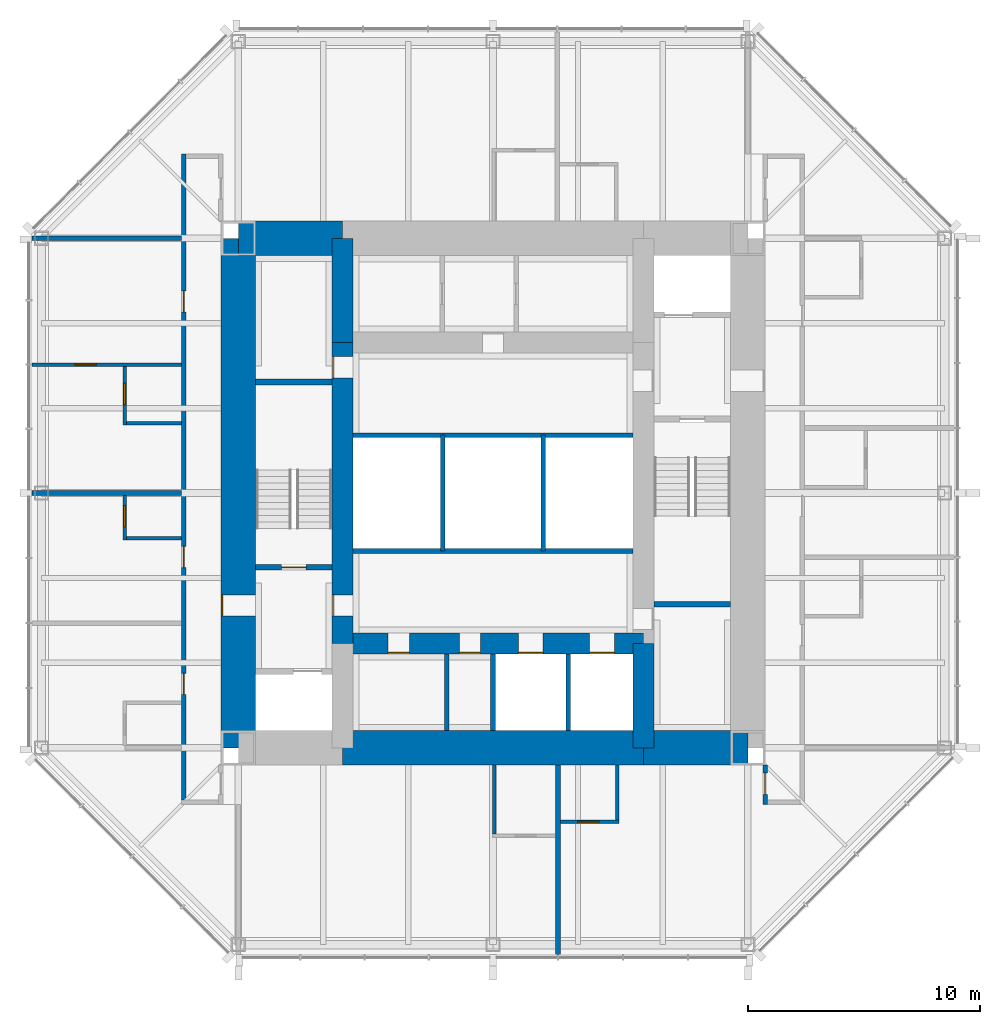
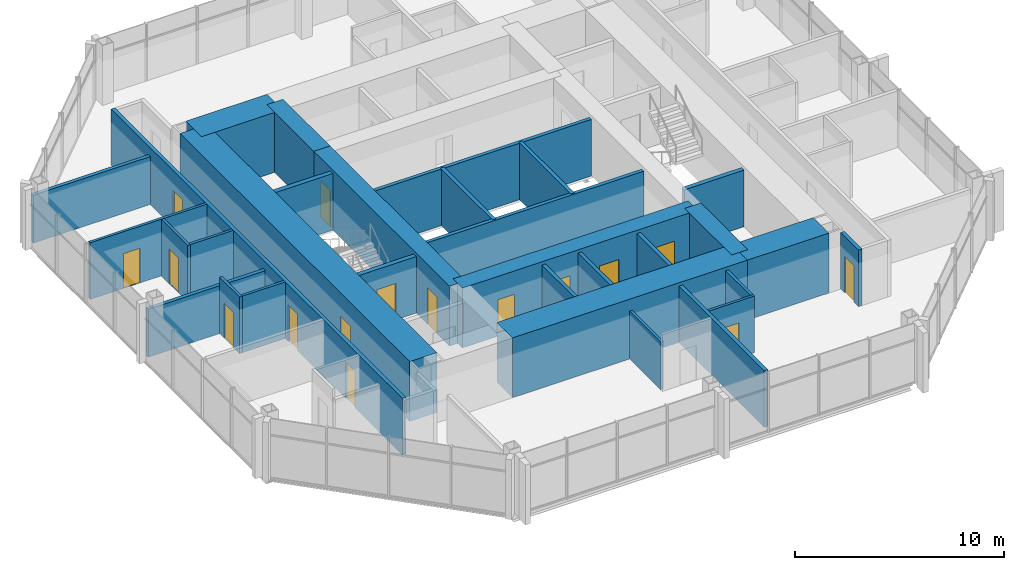
# One storey, part 8 of 11: 31 walls, 16 doors, 16 openings.
"""IFC4 building model written with IfcOpenShell, lengths in metres."""

from ifc_helpers import new_model, si_unit, direction, frame, frame_2d, origin, place, context, subcontext, project, spatial, rectangle, extrude, material, layer, layer_set, type_object, element, fill, save


model = new_model("IFC4")

# Units and contexts
model_context = context("Model", 3, precision=1e-05, world=origin(), true_north=direction((0.0, 1.0)))
body_context = subcontext(model_context, "Body", "Model", "MODEL_VIEW")
ifc_project = project(units=[si_unit("LENGTHUNIT", "METRE"), si_unit("AREAUNIT", "SQUARE_METRE"), si_unit("VOLUMEUNIT", "CUBIC_METRE"), si_unit("PLANEANGLEUNIT", "RADIAN"), si_unit("MASSUNIT", "GRAM", prefix="KILO")], contexts=[model_context])

# Site, building, storey
site_placement = place(None, origin())
site = spatial("IfcSite", under=ifc_project, at=site_placement, CompositionType="ELEMENT")
building_placement = place(site_placement, origin())
building = spatial("IfcBuilding", under=site, at=building_placement, Name="Trevanion Tower", CompositionType="ELEMENT")
storey_placement = place(building_placement, frame((0.0, 0.0, 246.699951171875)))
storey = spatial("IfcBuildingStorey", under=building, at=storey_placement, Name="L60", CompositionType="ELEMENT", Elevation=246.699951171875)

# Wall, opening, door
ifc_material_1 = material(Name="Concrete 10,000 psi", Category="concrete")
ifc_layer_1 = layer(ifc_material_1, 1.5)
ifc_layer_set_1 = layer_set([ifc_layer_1], Name="CW1 core wall 1500")
wall_type_1 = type_object("IfcWallType", Name="CW1 core wall 1500", PredefinedType="SHEAR", material=ifc_layer_set_1)
wall_1_placement = place(storey_placement, frame((-11.0, 11.0, 0.0), z_axis=(0.0, 0.0, 1.0), x_axis=(0.0, -1.0, 0.0)))
wall_1 = element("IfcWall", 1, at=wall_1_placement, inside=storey, type_object=wall_type_1, Name="CW1 CW L60", PredefinedType="SHEAR", context=body_context, shape_type="SweptSolid", body=[
    extrude(rectangle(XDim=22.0, YDim=1.5, at=frame_2d((11.0, 0.0))), origin(), (0.0, 0.0, 1.0), 3.5),
])
opening_1_placement = place(wall_1_placement, frame((15.392578125, 0.0, 0.0)))
opening_1 = element("IfcOpeningElement", 2, at=opening_1_placement, cuts=wall_1, Name="Opening 60-002", PredefinedType="OPENING", context=body_context, shape_type="SweptSolid", body=[
    extrude(rectangle(XDim=0.9150390625, YDim=2.134033203125, at=frame_2d((0.45751953125, 1.06689453125))), frame((0.0, 0.760009765625, 0.0), z_axis=(0.0, -1.0, 0.0), x_axis=(1.0, 0.0, 0.0)), (0.0, 0.0, 1.0), 1.52001953125),
])
ifc_material_2 = material(Name="Hollow metal, fire rated", Category="steel")
door_type_1 = type_object("IfcDoorType", Name="D3 fire lift lobby door", OperationType="SINGLE_SWING_RIGHT", PredefinedType="DOOR", material=ifc_material_2)
door_1_placement = place(opening_1_placement, origin())
door_1 = element("IfcDoor", 3, at=door_1_placement, inside=storey, type_object=door_type_1, Name="Door 60-002", OperationType="SINGLE_SWING_RIGHT", OverallHeight=2.134033203125, OverallWidth=0.9150390625, PredefinedType="DOOR", context=body_context, shape_type="SweptSolid", body=[
    extrude(rectangle(XDim=0.9150390625, YDim=2.134033203125, at=frame_2d((0.45751953125, 1.06689453125))), frame((0.0, -0.6748046875, 0.0), z_axis=(0.0, -1.0, 0.0), x_axis=(1.0, 0.0, 0.0)), (0.0, 0.0, 1.0), 0.050048828125),
])
fill(opening_1, door_1)

# Walls
wall_2_placement = place(storey_placement, frame((-6.5, 11.0, 0.0), z_axis=(0.0, 0.0, 1.0), x_axis=(-1.0, 0.0, 0.0)))
element("IfcWall", 4, at=wall_2_placement, inside=storey, type_object=wall_type_1, Name="CW1 CN3 L60", PredefinedType="SHEAR", context=body_context, shape_type="SweptSolid", body=[
    extrude(rectangle(XDim=4.5, YDim=1.5, at=frame_2d((2.25, 0.0))), origin(), (0.0, 0.0, 1.0), 3.5),
])
wall_3_placement = place(storey_placement, frame((-6.5, -11.0, 0.0), z_axis=(0.0, 0.0, 1.0), x_axis=(1.0, 0.0, 0.0)))
element("IfcWall", 5, at=wall_3_placement, inside=storey, type_object=wall_type_1, Name="CW1 CS2 L60", PredefinedType="SHEAR", context=body_context, shape_type="SweptSolid", body=[
    extrude(rectangle(XDim=13.0, YDim=1.5, at=frame_2d((6.5, 0.0))), origin(), (0.0, 0.0, 1.0), 3.5),
])
wall_4_placement = place(storey_placement, frame((6.5, -11.0, 0.0), z_axis=(0.0, 0.0, 1.0), x_axis=(1.0, 0.0, 0.0)))
element("IfcWall", 6, at=wall_4_placement, inside=storey, type_object=wall_type_1, Name="CW1 CS3 L60", PredefinedType="SHEAR", context=body_context, shape_type="SweptSolid", body=[
    extrude(rectangle(XDim=4.5, YDim=1.5, at=frame_2d((2.25, 0.0))), origin(), (0.0, 0.0, 1.0), 3.5),
])
ifc_material_3 = material(Name="Concrete 10,000 psi", Category="concrete")
ifc_layer_2 = layer(ifc_material_3, 0.89990234375)
ifc_layer_set_2 = layer_set([ifc_layer_2], Name="CW2 core wall 900")
wall_type_2 = type_object("IfcWallType", Name="CW2 core wall 900", PredefinedType="SHEAR", material=ifc_layer_set_2)
for number, where, z_axis, x_axis, name in (
    (7, (6.5, -11.0, 0.0), (0.0, 0.0, 1.0), (0.0, 1.0, 0.0), "CW2 RE1 L60"),
    (8, (-6.5, 11.0, 0.0), (0.0, 0.0, 1.0), (0.0, -1.0, 0.0), "CW2 RW1 L60"),
):
    element("IfcWall", number, at=place(storey_placement, frame(where, z_axis=z_axis, x_axis=x_axis)), inside=storey, type_object=wall_type_2, Name=name, PredefinedType="SHEAR", context=body_context, shape_type="SweptSolid", body=[
        extrude(rectangle(XDim=4.5, YDim=0.89990234375, at=frame_2d((2.25, 0.0))), origin(), (0.0, 0.0, 1.0), 3.5),
    ])

# Wall, openings, doors
wall_5_placement = place(storey_placement, frame((-6.5, 6.5, 0.0), z_axis=(0.0, 0.0, 1.0), x_axis=(0.0, -1.0, 0.0)))
wall_5 = element("IfcWall", 9, at=wall_5_placement, inside=storey, type_object=wall_type_2, Name="CW2 RW2 L60", PredefinedType="SHEAR", context=body_context, shape_type="SweptSolid", body=[
    extrude(rectangle(XDim=13.0, YDim=0.89990234375, at=frame_2d((6.5, 0.0))), origin(), (0.0, 0.0, 1.0), 3.5),
])
opening_2_placement = place(wall_5_placement, frame((10.892578125, 0.0, 0.0)))
opening_2 = element("IfcOpeningElement", 10, at=opening_2_placement, cuts=wall_5, Name="Opening 60-004", PredefinedType="OPENING", context=body_context, shape_type="SweptSolid", body=[
    extrude(rectangle(XDim=0.9150390625, YDim=2.134033203125, at=frame_2d((0.45751953125, 1.06689453125))), frame((0.0, 0.4599609375, 0.0), z_axis=(0.0, -1.0, 0.0), x_axis=(1.0, 0.0, 0.0)), (0.0, 0.0, 1.0), 0.919921875),
])
opening_3_placement = place(wall_5_placement, frame((0.610107421875, 0.0, 0.0)))
opening_3 = element("IfcOpeningElement", 11, at=opening_3_placement, cuts=wall_5, Name="Opening 60-010", PredefinedType="OPENING", context=body_context, shape_type="SweptSolid", body=[
    extrude(rectangle(XDim=0.9150390625, YDim=2.134033203125, at=frame_2d((0.45751953125, 1.06689453125))), frame((0.0, 0.4599609375, 0.0), z_axis=(0.0, -1.0, 0.0), x_axis=(1.0, 0.0, 0.0)), (0.0, 0.0, 1.0), 0.919921875),
])
door_2_placement = place(opening_2_placement, origin())
door_2 = element("IfcDoor", 12, at=door_2_placement, inside=storey, type_object=door_type_1, Name="Door 60-004", OperationType="SINGLE_SWING_RIGHT", OverallHeight=2.134033203125, OverallWidth=0.9150390625, PredefinedType="DOOR", context=body_context, shape_type="SweptSolid", body=[
    extrude(rectangle(XDim=0.9150390625, YDim=2.134033203125, at=frame_2d((0.45751953125, 1.06689453125))), frame((0.0, -0.375, 0.0), z_axis=(0.0, -1.0, 0.0), x_axis=(1.0, 0.0, 0.0)), (0.0, 0.0, 1.0), 0.050048828125),
])
fill(opening_2, door_2)
ifc_material_4 = material(Name="Hollow metal, fire rated", Category="steel")
door_type_2 = type_object("IfcDoorType", Name="D5 service room door", OperationType="SINGLE_SWING_RIGHT", PredefinedType="DOOR", material=ifc_material_4)
door_3_placement = place(opening_3_placement, origin())
door_3 = element("IfcDoor", 13, at=door_3_placement, inside=storey, type_object=door_type_2, Name="Door 60-010", OperationType="SINGLE_SWING_RIGHT", OverallHeight=2.134033203125, OverallWidth=0.9150390625, PredefinedType="DOOR", context=body_context, shape_type="SweptSolid", body=[
    extrude(rectangle(XDim=0.9150390625, YDim=2.134033203125, at=frame_2d((0.45751953125, 1.06689453125))), frame((0.0, -0.375, 0.0), z_axis=(0.0, -1.0, 0.0), x_axis=(1.0, 0.0, 0.0)), (0.0, 0.0, 1.0), 0.050048828125),
])
fill(opening_3, door_3)

wall_6_placement = place(storey_placement, frame((-6.5, -6.5, 0.0), z_axis=(0.0, 0.0, 1.0), x_axis=(1.0, 0.0, 0.0)))
wall_6 = element("IfcWall", 14, at=wall_6_placement, inside=storey, type_object=wall_type_2, Name="CW2 RS L60", PredefinedType="SHEAR", context=body_context, shape_type="SweptSolid", body=[
    extrude(rectangle(XDim=13.0, YDim=0.89990234375, at=frame_2d((6.5, 0.0))), origin(), (0.0, 0.0, 1.0), 3.5),
])
opening_4_placement = place(wall_6_placement, frame((7.591552734375, 0.0, 0.0)))
opening_4 = element("IfcOpeningElement", 15, at=opening_4_placement, cuts=wall_6, Name="Opening 60-011", PredefinedType="OPENING", context=body_context, shape_type="SweptSolid", body=[
    extrude(rectangle(XDim=1.06689453125, YDim=2.134033203125, at=frame_2d((0.533447265625, 1.06689453125))), frame((0.0, 0.4599609375, 0.0), z_axis=(0.0, -1.0, 0.0), x_axis=(1.0, 0.0, 0.0)), (0.0, 0.0, 1.0), 0.919921875),
])
opening_5_placement = place(wall_6_placement, frame((10.66650390625, 0.0, 0.0)))
opening_5 = element("IfcOpeningElement", 16, at=opening_5_placement, cuts=wall_6, Name="Opening 60-012", PredefinedType="OPENING", context=body_context, shape_type="SweptSolid", body=[
    extrude(rectangle(XDim=1.06689453125, YDim=2.134033203125, at=frame_2d((0.533447265625, 1.06689453125))), frame((0.0, 0.4599609375, 0.0), z_axis=(0.0, -1.0, 0.0), x_axis=(1.0, 0.0, 0.0)), (0.0, 0.0, 1.0), 0.919921875),
])
opening_6_placement = place(wall_6_placement, frame((1.967529296875, 0.0, 0.0)))
opening_6 = element("IfcOpeningElement", 17, at=opening_6_placement, cuts=wall_6, Name="Opening 60-013", PredefinedType="OPENING", context=body_context, shape_type="SweptSolid", body=[
    extrude(rectangle(XDim=0.9150390625, YDim=2.134033203125, at=frame_2d((0.45751953125, 1.06689453125))), frame((0.0, 0.4599609375, 0.0), z_axis=(0.0, -1.0, 0.0), x_axis=(1.0, 0.0, 0.0)), (0.0, 0.0, 1.0), 0.919921875),
])
opening_7_placement = place(wall_6_placement, frame((5.04248046875, 0.0, 0.0)))
opening_7 = element("IfcOpeningElement", 18, at=opening_7_placement, cuts=wall_6, Name="Opening 60-014", PredefinedType="OPENING", context=body_context, shape_type="SweptSolid", body=[
    extrude(rectangle(XDim=0.9150390625, YDim=2.134033203125, at=frame_2d((0.45751953125, 1.06689453125))), frame((0.0, 0.4599609375, 0.0), z_axis=(0.0, -1.0, 0.0), x_axis=(1.0, 0.0, 0.0)), (0.0, 0.0, 1.0), 0.919921875),
])
door_4_placement = place(opening_6_placement, origin())
door_4 = element("IfcDoor", 19, at=door_4_placement, inside=storey, type_object=door_type_2, Name="Door 60-013", OperationType="SINGLE_SWING_RIGHT", OverallHeight=2.134033203125, OverallWidth=0.9150390625, PredefinedType="DOOR", context=body_context, shape_type="SweptSolid", body=[
    extrude(rectangle(XDim=0.9150390625, YDim=2.134033203125, at=frame_2d((0.45751953125, 1.06689453125))), frame((0.0, -0.375, 0.0), z_axis=(0.0, -1.0, 0.0), x_axis=(1.0, 0.0, 0.0)), (0.0, 0.0, 1.0), 0.050048828125),
])
fill(opening_6, door_4)
door_5_placement = place(opening_7_placement, origin())
door_5 = element("IfcDoor", 20, at=door_5_placement, inside=storey, type_object=door_type_2, Name="Door 60-014", OperationType="SINGLE_SWING_RIGHT", OverallHeight=2.134033203125, OverallWidth=0.9150390625, PredefinedType="DOOR", context=body_context, shape_type="SweptSolid", body=[
    extrude(rectangle(XDim=0.9150390625, YDim=2.134033203125, at=frame_2d((0.45751953125, 1.06689453125))), frame((0.0, -0.375, 0.0), z_axis=(0.0, -1.0, 0.0), x_axis=(1.0, 0.0, 0.0)), (0.0, 0.0, 1.0), 0.050048828125),
])
fill(opening_7, door_5)
ifc_material_5 = material(Name="Stainless steel, fire rated", Category="steel")
door_type_3 = type_object("IfcDoorType", Name="LD1 lift landing door", OperationType="SLIDING_TO_LEFT", PredefinedType="DOOR", material=ifc_material_5)
door_6_placement = place(opening_4_placement, origin())
door_6 = element("IfcDoor", 21, at=door_6_placement, inside=storey, type_object=door_type_3, Name="Door 60-011", OperationType="SLIDING_TO_LEFT", OverallHeight=2.134033203125, OverallWidth=1.06689453125, PredefinedType="DOOR", context=body_context, shape_type="SweptSolid", body=[
    extrude(rectangle(XDim=1.06689453125, YDim=2.134033203125, at=frame_2d((0.533447265625, 1.06689453125))), frame((0.0, -0.375, 0.0), z_axis=(0.0, -1.0, 0.0), x_axis=(1.0, 0.0, 0.0)), (0.0, 0.0, 1.0), 0.050048828125),
])
fill(opening_4, door_6)
door_7_placement = place(opening_5_placement, origin())
door_7 = element("IfcDoor", 22, at=door_7_placement, inside=storey, type_object=door_type_3, Name="Door 60-012", OperationType="SLIDING_TO_LEFT", OverallHeight=2.134033203125, OverallWidth=1.06689453125, PredefinedType="DOOR", context=body_context, shape_type="SweptSolid", body=[
    extrude(rectangle(XDim=1.06689453125, YDim=2.134033203125, at=frame_2d((0.533447265625, 1.06689453125))), frame((0.0, -0.375, 0.0), z_axis=(0.0, -1.0, 0.0), x_axis=(1.0, 0.0, 0.0)), (0.0, 0.0, 1.0), 0.050048828125),
])
fill(opening_5, door_7)

# Wall, opening, door
ifc_material_6 = material(Name="Gypsum board on steel studs", Category="steel")
ifc_layer_3 = layer(ifc_material_6, 0.14990234375)
ifc_layer_set_3 = layer_set([ifc_layer_3], Name="PT1 partition 150")
wall_type_3 = type_object("IfcWallType", Name="PT1 partition 150", PredefinedType="PARTITIONING", material=ifc_layer_set_3)
wall_7_placement = place(storey_placement, frame((-13.449951171875, 5.549072265625, 0.0), z_axis=(0.0, 0.0, 1.0), x_axis=(-1.0, 0.0, 0.0)))
wall_7 = element("IfcWall", 23, at=wall_7_placement, inside=storey, type_object=wall_type_3, Name="PT1 L60 SW20", PredefinedType="PARTITIONING", context=body_context, shape_type="SweptSolid", body=[
    extrude(rectangle(XDim=6.465087890625, YDim=0.14990234375, at=frame_2d((3.232421875, 0.0))), origin(), (0.0, 0.0, 1.0), 3.31005859375),
])
opening_8_placement = place(wall_7_placement, frame((3.6923828125, 0.0, 0.0)))
opening_8 = element("IfcOpeningElement", 24, at=opening_8_placement, cuts=wall_7, Name="Opening 60-030", PredefinedType="OPENING", context=body_context, shape_type="SweptSolid", body=[
    extrude(rectangle(XDim=0.9150390625, YDim=2.031982421875, at=frame_2d((0.45751953125, 1.01611328125))), frame((0.0, 0.0849609375, 0.0), z_axis=(0.0, -1.0, 0.0), x_axis=(1.0, 0.0, 0.0)), (0.0, 0.0, 1.0), 0.169921875),
])
ifc_material_7 = material(Name="Timber veneer", Category="wood")
door_type_4 = type_object("IfcDoorType", Name="D7 bathroom door", OperationType="SINGLE_SWING_LEFT", PredefinedType="DOOR", material=ifc_material_7)
door_8_placement = place(opening_8_placement, origin())
door_8 = element("IfcDoor", 25, at=door_8_placement, inside=storey, type_object=door_type_4, Name="Door 60-030", OperationType="SINGLE_SWING_LEFT", OverallHeight=2.031982421875, OverallWidth=0.9150390625, PredefinedType="DOOR", context=body_context, shape_type="SweptSolid", body=[
    extrude(rectangle(XDim=0.9150390625, YDim=2.031982421875, at=frame_2d((0.45751953125, 1.01611328125))), frame((0.0, 0.02490234375, 0.0), z_axis=(0.0, -1.0, 0.0), x_axis=(1.0, 0.0, 0.0)), (0.0, 0.0, 1.0), 0.050048828125),
])
fill(opening_8, door_8)

wall_8_placement = place(storey_placement, frame((-15.89990234375, 5.47412109375, 0.0), z_axis=(0.0, 0.0, 1.0), x_axis=(0.0, -1.0, 0.0)))
wall_8 = element("IfcWall", 26, at=wall_8_placement, inside=storey, type_object=wall_type_3, Name="PT1 L60 BA20", PredefinedType="PARTITIONING", context=body_context, shape_type="SweptSolid", body=[
    extrude(rectangle(XDim=2.525146484375, YDim=0.14990234375, at=frame_2d((1.2626953125, 0.0))), origin(), (0.0, 0.0, 1.0), 3.31005859375),
])
opening_9_placement = place(wall_8_placement, frame((0.742431640625, 0.0, 0.0)))
opening_9 = element("IfcOpeningElement", 27, at=opening_9_placement, cuts=wall_8, Name="Opening 60-028", PredefinedType="OPENING", context=body_context, shape_type="SweptSolid", body=[
    extrude(rectangle(XDim=0.9150390625, YDim=2.031982421875, at=frame_2d((0.45751953125, 1.01611328125))), frame((0.0, 0.0849609375, 0.0), z_axis=(0.0, -1.0, 0.0), x_axis=(1.0, 0.0, 0.0)), (0.0, 0.0, 1.0), 0.169921875),
])
door_9_placement = place(opening_9_placement, origin())
door_9 = element("IfcDoor", 28, at=door_9_placement, inside=storey, type_object=door_type_4, Name="Door 60-028", OperationType="SINGLE_SWING_LEFT", OverallHeight=2.031982421875, OverallWidth=0.9150390625, PredefinedType="DOOR", context=body_context, shape_type="SweptSolid", body=[
    extrude(rectangle(XDim=0.9150390625, YDim=2.031982421875, at=frame_2d((0.45751953125, 1.01611328125))), frame((0.0, 0.02490234375, 0.0), z_axis=(0.0, -1.0, 0.0), x_axis=(1.0, 0.0, 0.0)), (0.0, 0.0, 1.0), 0.050048828125),
])
fill(opening_9, door_9)

# Wall
wall_9_placement = place(storey_placement, frame((-13.449951171875, 3.02392578125, 0.0), z_axis=(0.0, 0.0, 1.0), x_axis=(-1.0, 0.0, 0.0)))
element("IfcWall", 29, at=wall_9_placement, inside=storey, type_object=wall_type_3, Name="PT1 L60 BB20", PredefinedType="PARTITIONING", context=body_context, shape_type="SweptSolid", body=[
    extrude(rectangle(XDim=2.375, YDim=0.14990234375, at=frame_2d((1.1875, 0.0))), origin(), (0.0, 0.0, 1.0), 3.31005859375),
])

# Wall, opening, door
wall_10_placement = place(storey_placement, frame((-15.89990234375, -0.10009765625, 0.0), z_axis=(0.0, 0.0, 1.0), x_axis=(0.0, -1.0, 0.0)))
wall_10 = element("IfcWall", 30, at=wall_10_placement, inside=storey, type_object=wall_type_3, Name="PT1 L60 BA21", PredefinedType="PARTITIONING", context=body_context, shape_type="SweptSolid", body=[
    extrude(rectangle(XDim=1.9248046875, YDim=0.14990234375, at=frame_2d((0.96240234375, 0.0))), origin(), (0.0, 0.0, 1.0), 3.31005859375),
])
opening_10_placement = place(wall_10_placement, frame((0.4423828125, 0.0, 0.0)))
opening_10 = element("IfcOpeningElement", 31, at=opening_10_placement, cuts=wall_10, Name="Opening 60-031", PredefinedType="OPENING", context=body_context, shape_type="SweptSolid", body=[
    extrude(rectangle(XDim=0.9150390625, YDim=2.031982421875, at=frame_2d((0.45751953125, 1.01611328125))), frame((0.0, 0.0849609375, 0.0), z_axis=(0.0, -1.0, 0.0), x_axis=(1.0, 0.0, 0.0)), (0.0, 0.0, 1.0), 0.169921875),
])
door_10_placement = place(opening_10_placement, origin())
door_10 = element("IfcDoor", 32, at=door_10_placement, inside=storey, type_object=door_type_4, Name="Door 60-031", OperationType="SINGLE_SWING_LEFT", OverallHeight=2.031982421875, OverallWidth=0.9150390625, PredefinedType="DOOR", context=body_context, shape_type="SweptSolid", body=[
    extrude(rectangle(XDim=0.9150390625, YDim=2.031982421875, at=frame_2d((0.45751953125, 1.01611328125))), frame((0.0, 0.02490234375, 0.0), z_axis=(0.0, -1.0, 0.0), x_axis=(1.0, 0.0, 0.0)), (0.0, 0.0, 1.0), 0.050048828125),
])
fill(opening_10, door_10)

# Walls
wall_11_placement = place(storey_placement, frame((-13.449951171875, -1.949951171875, 0.0), z_axis=(0.0, 0.0, 1.0), x_axis=(-1.0, 0.0, 0.0)))
element("IfcWall", 33, at=wall_11_placement, inside=storey, type_object=wall_type_3, Name="PT1 L60 BB21", PredefinedType="PARTITIONING", context=body_context, shape_type="SweptSolid", body=[
    extrude(rectangle(XDim=2.375, YDim=0.14990234375, at=frame_2d((1.1875, 0.0))), origin(), (0.0, 0.0, 1.0), 3.31005859375),
])
wall_12_placement = place(storey_placement, frame((0.056884765625, -11.75, 0.0), z_axis=(0.0, 0.0, 1.0), x_axis=(0.0, -1.0, 0.0)))
element("IfcWall", 34, at=wall_12_placement, inside=storey, type_object=wall_type_3, Name="PT1 L60 BB30", PredefinedType="PARTITIONING", context=body_context, shape_type="SweptSolid", body=[
    extrude(rectangle(XDim=2.97509765625, YDim=0.14990234375, at=frame_2d((1.487548828125, 0.0))), origin(), (0.0, 0.0, 1.0), 2.802001953125),
])

# Wall, opening, door
wall_13_placement = place(storey_placement, frame((2.906982421875, -14.199951171875, 0.0), z_axis=(0.0, 0.0, 1.0), x_axis=(1.0, 0.0, 0.0)))
wall_13 = element("IfcWall", 35, at=wall_13_placement, inside=storey, type_object=wall_type_3, Name="PT1 L60 BA31", PredefinedType="PARTITIONING", context=body_context, shape_type="SweptSolid", body=[
    extrude(rectangle(XDim=2.52490234375, YDim=0.14990234375, at=frame_2d((1.262451171875, 0.0))), origin(), (0.0, 0.0, 1.0), 3.31005859375),
])
opening_11_placement = place(wall_13_placement, frame((0.742431640625, 0.0, 0.0)))
opening_11 = element("IfcOpeningElement", 36, at=opening_11_placement, cuts=wall_13, Name="Opening 60-038", PredefinedType="OPENING", context=body_context, shape_type="SweptSolid", body=[
    extrude(rectangle(XDim=0.9150390625, YDim=2.031982421875, at=frame_2d((0.45751953125, 1.01611328125))), frame((0.0, 0.0849609375, 0.0), z_axis=(0.0, -1.0, 0.0), x_axis=(1.0, 0.0, 0.0)), (0.0, 0.0, 1.0), 0.169921875),
])
door_11_placement = place(opening_11_placement, origin())
door_11 = element("IfcDoor", 37, at=door_11_placement, inside=storey, type_object=door_type_4, Name="Door 60-038", OperationType="SINGLE_SWING_LEFT", OverallHeight=2.031982421875, OverallWidth=0.9150390625, PredefinedType="DOOR", context=body_context, shape_type="SweptSolid", body=[
    extrude(rectangle(XDim=0.9150390625, YDim=2.031982421875, at=frame_2d((0.45751953125, 1.01611328125))), frame((0.0, 0.02490234375, 0.0), z_axis=(0.0, -1.0, 0.0), x_axis=(1.0, 0.0, 0.0)), (0.0, 0.0, 1.0), 0.050048828125),
])
fill(opening_11, door_11)

# Walls
wall_14_placement = place(storey_placement, frame((5.35693359375, -11.75, 0.0), z_axis=(0.0, 0.0, 1.0), x_axis=(0.0, -1.0, 0.0)))
element("IfcWall", 38, at=wall_14_placement, inside=storey, type_object=wall_type_3, Name="PT1 L60 BB31", PredefinedType="PARTITIONING", context=body_context, shape_type="SweptSolid", body=[
    extrude(rectangle(XDim=2.375, YDim=0.14990234375, at=frame_2d((1.1875, 0.0))), origin(), (0.0, 0.0, 1.0), 3.31005859375),
])
ifc_material_8 = material(Name="Concrete masonry, grouted", Category="masonry")
ifc_layer_4 = layer(ifc_material_8, 0.199951171875)
ifc_layer_set_4 = layer_set([ifc_layer_4], Name="PT2 partition 200 1 HR")
wall_type_4 = type_object("IfcWallType", Name="PT2 partition 200 1 HR", PredefinedType="PARTITIONING", material=ifc_layer_set_4)
for number, where, z_axis, x_axis, name in (
    (39, (-6.050048828125, 2.5, 0.0), (0.0, 0.0, 1.0), (1.0, 0.0, 0.0), "PT2 L60 CP1"),
    (40, (6.050048828125, -2.5, 0.0), (0.0, 0.0, 1.0), (-1.0, 0.0, 0.0), "PT2 L60 CP2"),
):
    element("IfcWall", number, at=place(storey_placement, frame(where, z_axis=z_axis, x_axis=x_axis)), inside=storey, type_object=wall_type_4, Name=name, PredefinedType="PARTITIONING", context=body_context, shape_type="SweptSolid", body=[
        extrude(rectangle(XDim=12.10009765625, YDim=0.199951171875, at=frame_2d((6.050048828125, 0.0))), origin(), (0.0, 0.0, 1.0), 3.31005859375),
    ])
wall_15_placement = place(storey_placement, frame((-2.0, -10.25, 0.0), z_axis=(0.0, 0.0, 1.0), x_axis=(0.0, 1.0, 0.0)))
element("IfcWall", 41, at=wall_15_placement, inside=storey, type_object=wall_type_4, Name="PT2 L60 SI0", PredefinedType="PARTITIONING", context=body_context, shape_type="SweptSolid", body=[
    extrude(rectangle(XDim=3.300048828125, YDim=0.199951171875, at=frame_2d((1.64990234375, 0.0))), origin(), (0.0, 0.0, 1.0), 3.31005859375),
])

# Wall, opening, door
wall_16_placement = place(storey_placement, frame((11.75, -11.75, 0.0), z_axis=(0.0, 0.0, 1.0), x_axis=(0.0, -1.0, 0.0)))
wall_16 = element("IfcWall", 42, at=wall_16_placement, inside=storey, type_object=wall_type_4, Name="PT2 L60 HO3b", PredefinedType="PARTITIONING", context=body_context, shape_type="SweptSolid", body=[
    extrude(rectangle(XDim=1.699951171875, YDim=0.199951171875, at=frame_2d((0.85009765625, 0.0))), origin(), (0.0, 0.0, 1.0), 3.31005859375),
])
opening_12_placement = place(wall_16_placement, frame((0.342529296875, 0.0, 0.0)))
opening_12 = element("IfcOpeningElement", 43, at=opening_12_placement, cuts=wall_16, Name="Opening 60-036", PredefinedType="OPENING", context=body_context, shape_type="SweptSolid", body=[
    extrude(rectangle(XDim=0.9150390625, YDim=2.134033203125, at=frame_2d((0.45751953125, 1.06689453125))), frame((0.0, 0.10986328125, 0.0), z_axis=(0.0, -1.0, 0.0), x_axis=(1.0, 0.0, 0.0)), (0.0, 0.0, 1.0), 0.219970703125),
])
ifc_material_9 = material(Name="Timber veneer, fire rated", Category="wood")
door_type_5 = type_object("IfcDoorType", Name="D6 guest room entrance door", OperationType="SINGLE_SWING_LEFT", PredefinedType="DOOR", material=ifc_material_9)
door_12_placement = place(opening_12_placement, origin())
door_12 = element("IfcDoor", 44, at=door_12_placement, inside=storey, type_object=door_type_5, Name="Door 60-036", OperationType="SINGLE_SWING_LEFT", OverallHeight=2.134033203125, OverallWidth=0.9150390625, PredefinedType="DOOR", context=body_context, shape_type="SweptSolid", body=[
    extrude(rectangle(XDim=0.9150390625, YDim=2.134033203125, at=frame_2d((0.45751953125, 1.06689453125))), frame((0.0, 0.02490234375, 0.0), z_axis=(0.0, -1.0, 0.0), x_axis=(1.0, 0.0, 0.0)), (0.0, 0.0, 1.0), 0.050048828125),
])
fill(opening_12, door_12)

# Wall, openings, doors
wall_17_placement = place(storey_placement, frame((-13.35009765625, 14.64990234375, 0.0), z_axis=(0.0, 0.0, 1.0), x_axis=(0.0, -1.0, 0.0)))
wall_17 = element("IfcWall", 45, at=wall_17_placement, inside=storey, type_object=wall_type_4, Name="PT2 L60 HC2", PredefinedType="PARTITIONING", context=body_context, shape_type="SweptSolid", body=[
    extrude(rectangle(XDim=27.89990234375, YDim=0.199951171875, at=frame_2d((13.949951171875, 0.0))), origin(), (0.0, 0.0, 1.0), 3.31005859375),
])
opening_13_placement = place(wall_17_placement, frame((5.91796875, 0.0, 0.0)))
opening_13 = element("IfcOpeningElement", 46, at=opening_13_placement, cuts=wall_17, Name="Opening 60-029", PredefinedType="OPENING", context=body_context, shape_type="SweptSolid", body=[
    extrude(rectangle(XDim=0.9150390625, YDim=2.134033203125, at=frame_2d((0.45751953125, 1.06689453125))), frame((0.0, 0.10986328125, 0.0), z_axis=(0.0, -1.0, 0.0), x_axis=(1.0, 0.0, 0.0)), (0.0, 0.0, 1.0), 0.219970703125),
])
opening_14_placement = place(wall_17_placement, frame((16.952392578125, 0.0, 0.0)))
opening_14 = element("IfcOpeningElement", 47, at=opening_14_placement, cuts=wall_17, Name="Opening 60-032", PredefinedType="OPENING", context=body_context, shape_type="SweptSolid", body=[
    extrude(rectangle(XDim=0.9150390625, YDim=2.134033203125, at=frame_2d((0.45751953125, 1.06689453125))), frame((0.0, 0.10986328125, 0.0), z_axis=(0.0, -1.0, 0.0), x_axis=(1.0, 0.0, 0.0)), (0.0, 0.0, 1.0), 0.219970703125),
])
opening_15_placement = place(wall_17_placement, frame((22.4326171875, 0.0, 0.0)))
opening_15 = element("IfcOpeningElement", 48, at=opening_15_placement, cuts=wall_17, Name="Opening 60-034", PredefinedType="OPENING", context=body_context, shape_type="SweptSolid", body=[
    extrude(rectangle(XDim=0.9150390625, YDim=2.134033203125, at=frame_2d((0.45751953125, 1.06689453125))), frame((0.0, 0.10986328125, 0.0), z_axis=(0.0, -1.0, 0.0), x_axis=(1.0, 0.0, 0.0)), (0.0, 0.0, 1.0), 0.219970703125),
])
door_13_placement = place(opening_13_placement, origin())
door_13 = element("IfcDoor", 49, at=door_13_placement, inside=storey, type_object=door_type_5, Name="Door 60-029", OperationType="SINGLE_SWING_LEFT", OverallHeight=2.134033203125, OverallWidth=0.9150390625, PredefinedType="DOOR", context=body_context, shape_type="SweptSolid", body=[
    extrude(rectangle(XDim=0.9150390625, YDim=2.134033203125, at=frame_2d((0.45751953125, 1.06689453125))), frame((0.0, 0.02490234375, 0.0), z_axis=(0.0, -1.0, 0.0), x_axis=(1.0, 0.0, 0.0)), (0.0, 0.0, 1.0), 0.050048828125),
])
fill(opening_13, door_13)
door_14_placement = place(opening_14_placement, origin())
door_14 = element("IfcDoor", 50, at=door_14_placement, inside=storey, type_object=door_type_5, Name="Door 60-032", OperationType="SINGLE_SWING_LEFT", OverallHeight=2.134033203125, OverallWidth=0.9150390625, PredefinedType="DOOR", context=body_context, shape_type="SweptSolid", body=[
    extrude(rectangle(XDim=0.9150390625, YDim=2.134033203125, at=frame_2d((0.45751953125, 1.06689453125))), frame((0.0, 0.02490234375, 0.0), z_axis=(0.0, -1.0, 0.0), x_axis=(1.0, 0.0, 0.0)), (0.0, 0.0, 1.0), 0.050048828125),
])
fill(opening_14, door_14)
door_15_placement = place(opening_15_placement, origin())
door_15 = element("IfcDoor", 51, at=door_15_placement, inside=storey, type_object=door_type_5, Name="Door 60-034", OperationType="SINGLE_SWING_LEFT", OverallHeight=2.134033203125, OverallWidth=0.9150390625, PredefinedType="DOOR", context=body_context, shape_type="SweptSolid", body=[
    extrude(rectangle(XDim=0.9150390625, YDim=2.134033203125, at=frame_2d((0.45751953125, 1.06689453125))), frame((0.0, 0.02490234375, 0.0), z_axis=(0.0, -1.0, 0.0), x_axis=(1.0, 0.0, 0.0)), (0.0, 0.0, 1.0), 0.050048828125),
])
fill(opening_15, door_15)

# Walls
for number, where, z_axis, x_axis, name in (
    (52, (-13.449951171875, 11.0, 0.0), (0.0, 0.0, 1.0), (-1.0, 0.0, 0.0), "PT2 L60 HD20"),
    (53, (-13.449951171875, 0.0, 0.0), (0.0, 0.0, 1.0), (-1.0, 0.0, 0.0), "PT2 L60 HD21"),
):
    element("IfcWall", number, at=place(storey_placement, frame(where, z_axis=z_axis, x_axis=x_axis)), inside=storey, type_object=wall_type_4, Name=name, PredefinedType="PARTITIONING", context=body_context, shape_type="SweptSolid", body=[
        extrude(rectangle(XDim=6.465087890625, YDim=0.199951171875, at=frame_2d((3.232421875, 0.0))), origin(), (0.0, 0.0, 1.0), 2.802001953125),
    ])
wall_18_placement = place(storey_placement, frame((2.806884765625, -11.75, 0.0), z_axis=(0.0, 0.0, 1.0), x_axis=(0.0, -1.0, 0.0)))
element("IfcWall", 54, at=wall_18_placement, inside=storey, type_object=wall_type_4, Name="PT2 L60 HD31", PredefinedType="PARTITIONING", context=body_context, shape_type="SweptSolid", body=[
    extrude(rectangle(XDim=8.1650390625, YDim=0.199951171875, at=frame_2d((4.08251953125, 0.0))), origin(), (0.0, 0.0, 1.0), 3.31005859375),
])
ifc_material_10 = material(Name="Concrete masonry, grouted", Category="masonry")
ifc_layer_5 = layer(ifc_material_10, 0.199951171875)
ifc_layer_set_5 = layer_set([ifc_layer_5], Name="PT2 partition 200 2 HR")
wall_type_5 = type_object("IfcWallType", Name="PT2 partition 200 2 HR", PredefinedType="PARTITIONING", material=ifc_layer_set_5)
for number, where, z_axis, x_axis, name in (
    (55, (0.0, -10.25, 0.0), (0.0, 0.0, 1.0), (0.0, 1.0, 0.0), "PT2 L60 SS1"),
    (56, (3.25, -10.25, 0.0), (0.0, 0.0, 1.0), (0.0, 1.0, 0.0), "PT2 L60 SS2"),
):
    element("IfcWall", number, at=place(storey_placement, frame(where, z_axis=z_axis, x_axis=x_axis)), inside=storey, type_object=wall_type_5, Name=name, PredefinedType="PARTITIONING", context=body_context, shape_type="SweptSolid", body=[
        extrude(rectangle(XDim=3.300048828125, YDim=0.199951171875, at=frame_2d((1.64990234375, 0.0))), origin(), (0.0, 0.0, 1.0), 3.31005859375),
    ])
for number, where, z_axis, x_axis, name in (
    (57, (-2.166748046875, -2.5, 0.0), (0.0, 0.0, 1.0), (0.0, 1.0, 0.0), "PT2 L60 MS0"),
    (58, (2.166748046875, -2.5, 0.0), (0.0, 0.0, 1.0), (0.0, 1.0, 0.0), "PT2 L60 MS1"),
):
    element("IfcWall", number, at=place(storey_placement, frame(where, z_axis=z_axis, x_axis=x_axis)), inside=storey, type_object=wall_type_5, Name=name, PredefinedType="PARTITIONING", context=body_context, shape_type="SweptSolid", body=[
        extrude(rectangle(XDim=5.0, YDim=0.199951171875, at=frame_2d((2.5, 0.0))), origin(), (0.0, 0.0, 1.0), 3.31005859375),
    ])
ifc_material_11 = material(Name="Reinforced masonry, fully grouted", Category="masonry")
ifc_layer_6 = layer(ifc_material_11, 0.25)
ifc_layer_set_6 = layer_set([ifc_layer_6], Name="SW1 stair shaft wall 250")
wall_type_6 = type_object("IfcWallType", Name="SW1 stair shaft wall 250", PredefinedType="SOLIDWALL", material=ifc_layer_set_6)
for number, where, z_axis, x_axis, name in (
    (59, (6.949951171875, -4.800048828125, 0.0), (0.0, 0.0, 1.0), (1.0, 0.0, 0.0), "SW1 L60 EP1"),
    (60, (-6.949951171875, 4.800048828125, 0.0), (0.0, 0.0, 1.0), (-1.0, 0.0, 0.0), "SW1 L60 WP1"),
):
    element("IfcWall", number, at=place(storey_placement, frame(where, z_axis=z_axis, x_axis=x_axis)), inside=storey, type_object=wall_type_6, Name=name, PredefinedType="SOLIDWALL", context=body_context, shape_type="SweptSolid", body=[
        extrude(rectangle(XDim=3.300048828125, YDim=0.25, at=frame_2d((1.64990234375, 0.0))), origin(), (0.0, 0.0, 1.0), 3.31005859375),
    ])

# Wall, opening, door
wall_19_placement = place(storey_placement, frame((-6.949951171875, -3.199951171875, 0.0), z_axis=(0.0, 0.0, 1.0), x_axis=(-1.0, 0.0, 0.0)))
wall_19 = element("IfcWall", 61, at=wall_19_placement, inside=storey, type_object=wall_type_6, Name="SW1 L60 WP2", PredefinedType="SOLIDWALL", context=body_context, shape_type="SweptSolid", body=[
    extrude(rectangle(XDim=3.300048828125, YDim=0.25, at=frame_2d((1.64990234375, 0.0))), origin(), (0.0, 0.0, 1.0), 3.31005859375),
])
opening_16_placement = place(wall_19_placement, frame((1.116455078125, 0.0, 0.0)))
opening_16 = element("IfcOpeningElement", 62, at=opening_16_placement, cuts=wall_19, Name="Opening 60-006", PredefinedType="OPENING", context=body_context, shape_type="SweptSolid", body=[
    extrude(rectangle(XDim=1.06689453125, YDim=2.134033203125, at=frame_2d((0.533447265625, 1.06689453125))), frame((0.0, 0.135009765625, 0.0), z_axis=(0.0, -1.0, 0.0), x_axis=(1.0, 0.0, 0.0)), (0.0, 0.0, 1.0), 0.27001953125),
])
ifc_material_12 = material(Name="Hollow metal, fire rated", Category="steel")
door_type_6 = type_object("IfcDoorType", Name="D2 exit stair door", OperationType="SINGLE_SWING_LEFT", PredefinedType="DOOR", material=ifc_material_12)
door_16_placement = place(opening_16_placement, origin())
door_16 = element("IfcDoor", 63, at=door_16_placement, inside=storey, type_object=door_type_6, Name="Door 60-006", OperationType="SINGLE_SWING_LEFT", OverallHeight=2.134033203125, OverallWidth=1.06689453125, PredefinedType="DOOR", context=body_context, shape_type="SweptSolid", body=[
    extrude(rectangle(XDim=1.06689453125, YDim=2.134033203125, at=frame_2d((0.533447265625, 1.06689453125))), frame((0.0, 0.02490234375, 0.0), z_axis=(0.0, -1.0, 0.0), x_axis=(1.0, 0.0, 0.0)), (0.0, 0.0, 1.0), 0.050048828125),
])
fill(opening_16, door_16)

save(model, "model.ifc")
